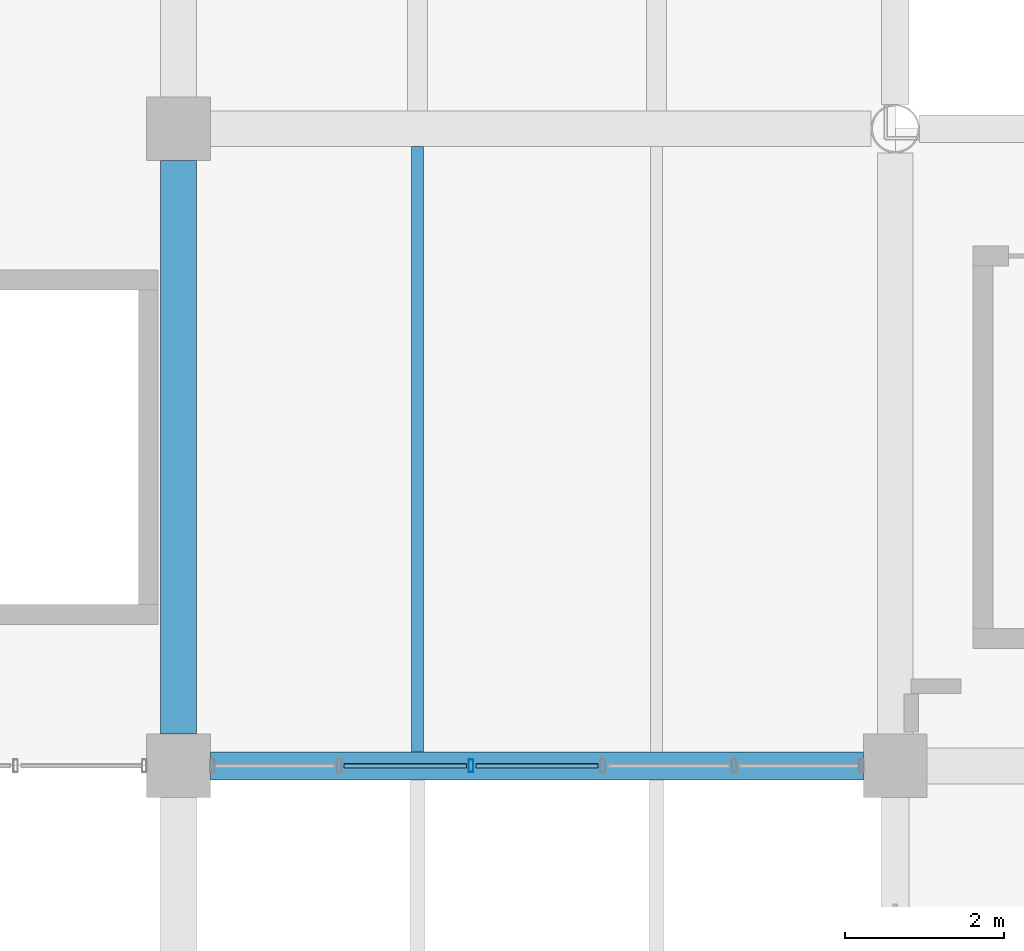
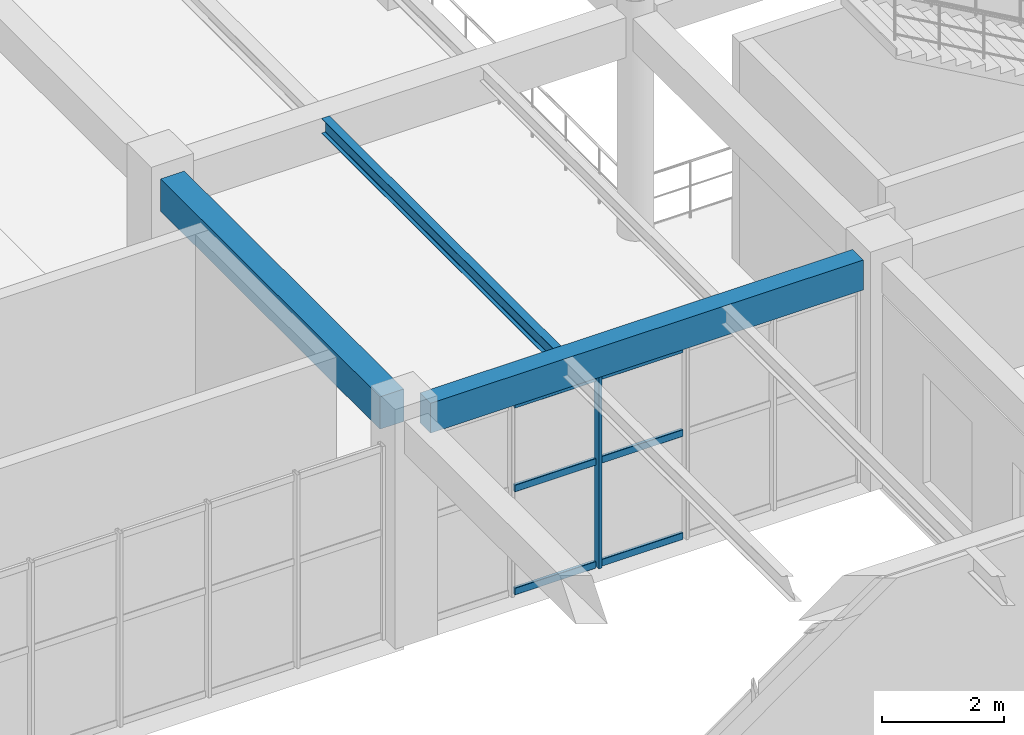
# One storey, part 24 of 178: 7 members, 3 beams, 1 element without a shape of its own.
"""IFC4 building model written with IfcOpenShell, lengths in metres."""

import ifcopenshell
import ifcopenshell.guid

model = None  # the IFC model being written
_history = None  # IfcOwnerHistory: only IFC2X3 demands one
_inside = {}  # id of a spatial element -> (the spatial element, [elements in it])
_under = {}  # id of a project, library or spatial element -> (it, [spatial elements below it])
_declared = {}  # id of a project -> (the project, [libraries it declares])
_typed = {}  # id of a type object -> (the type object, [elements of that type])
_made_of = {}  # id of a material, layer set ... -> (it, [elements and type objects made of it])


def new_model(schema):
    """Start an empty IFC model of exactly this schema.

    Asked for "IFC4X3", IfcOpenShell would pick the latest addendum, in which some entities
    have other attributes; the version numbers below select the first issue.
    IFC2X3 requires an IfcOwnerHistory on every rooted entity: one is made here for all.
    """
    global model, _history
    if schema == "IFC4X3":
        model = ifcopenshell.file(schema_version=(4, 3, 0, 0))
    else:
        model = ifcopenshell.file(schema=schema)
    _inside.clear()
    _under.clear()
    _declared.clear()
    _typed.clear()
    _made_of.clear()
    _history = None
    if model.schema == "IFC2X3":
        org = make("IfcOrganization", Name="unknown")
        user = make(
            "IfcPersonAndOrganization",
            ThePerson=make("IfcPerson", FamilyName="unknown"),
            TheOrganization=org,
        )
        app = make(
            "IfcApplication",
            ApplicationDeveloper=org,
            Version="unknown",
            ApplicationFullName="unknown",
            ApplicationIdentifier="unknown",
        )
        _history = make(
            "IfcOwnerHistory",
            OwningUser=user,
            OwningApplication=app,
            ChangeAction="ADDED",
            CreationDate=0,
        )
    return model


def make(cls, **values):
    """One entity of the class cls with the attributes given. An attribute that is None is left unset."""
    return model.create_entity(
        cls, **{name: value for name, value in values.items() if value is not None}
    )


def rooted(cls, **values):
    """An entity with a GlobalId (a new one), such as an element, a storey or a relation."""
    return make(cls, GlobalId=ifcopenshell.guid.new(), OwnerHistory=_history, **values)


def si_unit(unit_type, name, prefix=None):
    """IfcSIUnit, for example si_unit("LENGTHUNIT", "METRE", prefix="MILLI")."""
    return make("IfcSIUnit", UnitType=unit_type, Prefix=prefix, Name=name)


def derived_unit(unit_type, elements):
    """IfcDerivedUnit: a product of units, each with its exponent."""
    return make(
        "IfcDerivedUnit",
        Elements=[
            make("IfcDerivedUnitElement", Unit=unit, Exponent=power)
            for unit, power in elements
        ],
        UnitType=unit_type,
    )


def assignment(units):
    """IfcUnitAssignment: the units of a project."""
    return None if units is None else make("IfcUnitAssignment", Units=units)


def point(xyz):
    """IfcCartesianPoint."""
    return None if xyz is None else make("IfcCartesianPoint", Coordinates=xyz)


def direction(xyz):
    """IfcDirection."""
    return None if xyz is None else make("IfcDirection", DirectionRatios=xyz)


def frame(location, z_axis=None, x_axis=None):
    """IfcAxis2Placement3D, a coordinate frame: its origin and axes. An axis left out is left unset."""
    return make(
        "IfcAxis2Placement3D",
        Location=point(location),
        Axis=direction(z_axis),
        RefDirection=direction(x_axis),
    )


def frame_2d(location, x_axis=None):
    """IfcAxis2Placement2D, a coordinate frame in the plane: its origin and x axis."""
    return make(
        "IfcAxis2Placement2D", Location=point(location), RefDirection=direction(x_axis)
    )


def origin():
    """The frame at (0, 0, 0) with its axes left unset."""
    return frame((0.0, 0.0, 0.0))


def origin_2d():
    """The frame at (0, 0) in the plane with its x axis left unset."""
    return frame_2d((0.0, 0.0))


def place(relative_to, where):
    """IfcLocalPlacement: puts the frame where relative to a parent placement (None: the world)."""
    return make(
        "IfcLocalPlacement", PlacementRelTo=relative_to, RelativePlacement=where
    )


def context(
    kind, dimensions, precision=None, world=None, true_north=None, identifier=None
):
    """IfcGeometricRepresentationContext, for example the 3D "Model" context."""
    return make(
        "IfcGeometricRepresentationContext",
        ContextIdentifier=identifier,
        ContextType=kind,
        CoordinateSpaceDimension=dimensions,
        Precision=precision,
        WorldCoordinateSystem=world,
        TrueNorth=true_north,
    )


def subcontext(parent, identifier, kind, view, scale=None):
    """IfcGeometricRepresentationSubContext, for example "Body" below "Model"."""
    return make(
        "IfcGeometricRepresentationSubContext",
        ContextIdentifier=identifier,
        ContextType=kind,
        ParentContext=parent,
        TargetScale=scale,
        TargetView=view,
    )


def project(units=None, contexts=None):
    """IfcProject with its units and contexts."""
    return rooted(
        "IfcProject",
        Name="project",
        RepresentationContexts=contexts,
        UnitsInContext=assignment(units),
    )


def spatial(cls, under=None, at=None, **own):
    """A site, building, storey or space (cls), placed at a placement, below another one or the project."""
    s = rooted(cls, ObjectPlacement=at, **own)
    if under is not None:
        _under.setdefault(under.id(), (under, []))[1].append(s)
    return s


def profile(cls, at=None, kind="AREA", **sizes):
    """A parametric profile (cls). Its sizes go by their IFC names, for example OverallWidth=200.0."""
    return make(cls, ProfileType=kind, Position=at, **sizes)


def rectangle(**sizes):
    """IfcRectangleProfileDef."""
    return profile("IfcRectangleProfileDef", **sizes)


def hollow_rectangle(**sizes):
    """IfcRectangleHollowProfileDef."""
    return profile("IfcRectangleHollowProfileDef", **sizes)


def i_section(**sizes):
    """IfcIShapeProfileDef."""
    return profile("IfcIShapeProfileDef", **sizes)


def extrude(swept, where, along, depth):
    """IfcExtrudedAreaSolid: the profile swept, set in the frame where, extruded along a direction by depth."""
    return make(
        "IfcExtrudedAreaSolid",
        SweptArea=swept,
        Position=where,
        ExtrudedDirection=direction(along),
        Depth=depth,
    )


def shape(context_of_items, identifier, shape_type, items):
    """IfcShapeRepresentation: the items that make up one representation, for example the "Body"."""
    return make(
        "IfcShapeRepresentation",
        ContextOfItems=context_of_items,
        RepresentationIdentifier=identifier,
        RepresentationType=shape_type,
        Items=items,
    )


def material(Name=None, Category=None):
    """IfcMaterial."""
    return make("IfcMaterial", Name=Name, Category=Category)


def material_profile(
    of_material, cross_section, Name=None, Category=None, Priority=None
):
    """IfcMaterialProfile: a cross section and its material."""
    return make(
        "IfcMaterialProfile",
        Name=Name,
        Material=of_material,
        Profile=cross_section,
        Priority=Priority,
        Category=Category,
    )


def profile_set(profiles, Name=None, composite=None):
    """IfcMaterialProfileSet."""
    return make(
        "IfcMaterialProfileSet",
        Name=Name,
        MaterialProfiles=profiles,
        CompositeProfile=composite,
    )


def made_of(thing, what):
    """Note that an element or type object is made of a material, layer set ...; save() writes the relation."""
    if what is not None:
        _made_of.setdefault(what.id(), (what, []))[1].append(thing)
    return thing


def type_object(cls, material=None, **own):
    """A type object (cls), such as IfcWallType, which elements share."""
    return made_of(rooted(cls, **own), material)


def element(
    cls,
    number,
    at=None,
    inside=None,
    cuts=None,
    type_object=None,
    material=None,
    context=None,
    identifier="Body",
    shape_type=None,
    held_by="IfcProductDefinitionShape",
    body=None,
    shapes=None,
    **own,
):
    """One element of the class cls, such as IfcWall. Its Tag is "e" and its number.

    at: its placement. inside: the storey or other place that contains it. cuts: it is an
    opening in that element (IfcRelVoidsElement). A single representation is given by context,
    identifier, shape_type and body (its items); several are given by shapes. held_by: the class
    of the entity that holds the representations. save() writes the other relations.
    """
    e = rooted(cls, Tag="e%d" % number, ObjectPlacement=at, **own)
    if body is not None:
        shapes = [shape(context, identifier, shape_type, body)]
    if shapes is not None:
        e.Representation = make(held_by, Representations=shapes)
    if inside is not None:
        _inside.setdefault(inside.id(), (inside, []))[1].append(e)
    if cuts is not None:
        rooted(
            "IfcRelVoidsElement", RelatingBuildingElement=cuts, RelatedOpeningElement=e
        )
    if type_object is not None:
        _typed.setdefault(type_object.id(), (type_object, []))[1].append(e)
    return made_of(e, material)


def aggregate(whole, parts):
    """IfcRelAggregates: a whole, such as a stair, and the parts it consists of."""
    return rooted("IfcRelAggregates", RelatingObject=whole, RelatedObjects=parts)


def save(model, path):
    """Write the relations noted so far, then the file.

    IfcRelAggregates (storeys below a building ...), IfcRelContainedInSpatialStructure (elements
    in a storey), IfcRelDefinesByType, IfcRelAssociatesMaterial and IfcRelDeclares: one each for
    every whole, place, type object, material and project.
    """
    for whole, parts in _under.values():
        aggregate(whole, parts)
    for where, things in _inside.values():
        rooted(
            "IfcRelContainedInSpatialStructure",
            RelatedElements=things,
            RelatingStructure=where,
        )
    for kind, things in _typed.values():
        rooted("IfcRelDefinesByType", RelatedObjects=things, RelatingType=kind)
    for what, things in _made_of.values():
        rooted("IfcRelAssociatesMaterial", RelatedObjects=things, RelatingMaterial=what)
    for by, libraries in _declared.values():
        rooted("IfcRelDeclares", RelatingContext=by, RelatedDefinitions=libraries)
    model.write(path)


model = new_model("IFC4")

# Units and contexts
model_context = context("Model", 3, precision=1e-05, world=origin(), true_north=direction((0.0, 1.0)))
body_context = subcontext(model_context, "Body", "Model", "MODEL_VIEW")
ifc_project = project(units=[si_unit("LENGTHUNIT", "METRE"), si_unit("AREAUNIT", "SQUARE_METRE"), si_unit("VOLUMEUNIT", "CUBIC_METRE"), si_unit("PLANEANGLEUNIT", "RADIAN"), si_unit("MASSUNIT", "GRAM", prefix="KILO"), derived_unit("THERMALTRANSMITTANCEUNIT", [(si_unit("MASSUNIT", "GRAM", prefix="KILO"), 1), (si_unit("TIMEUNIT", "SECOND"), -3), (si_unit("THERMODYNAMICTEMPERATUREUNIT", "KELVIN"), -1)])], contexts=[model_context])

# Site, building, storey
site_placement = place(None, origin())
site = spatial("IfcSite", under=ifc_project, at=site_placement, CompositionType="ELEMENT")
building_placement = place(site_placement, origin())
building = spatial("IfcBuilding", under=site, at=building_placement, Name="Zhenchuan Archway Interchange", CompositionType="ELEMENT")
storey_placement = place(building_placement, frame((0.0, 0.0, 5.39990234375)))
storey = spatial("IfcBuildingStorey", under=building, at=storey_placement, Name="L01", CompositionType="ELEMENT", Elevation=5.39990234375)

# Beam
ifc_material_1 = material(Name="Concrete C40", Category="concrete")
ifc_material_profile_1 = material_profile(ifc_material_1, rectangle(XDim=0.449951171875, YDim=0.64990234375, at=origin_2d()), Name="RC 450x650")
ifc_profile_set_1 = profile_set([ifc_material_profile_1], Name="Concrete C40")
beam_type_1 = type_object("IfcBeamType", Name="BM_RC_450x650", PredefinedType="BEAM", material=ifc_profile_set_1)
beam_1_placement = place(storey_placement, frame((27.0, 24.39990234375, 4.18505859375), z_axis=(0.0, 1.0, 0.0), x_axis=(-1.0, 0.0, 0.0)))
element("IfcBeam", 1, at=beam_1_placement, inside=storey, type_object=beam_type_1, Name="Beam 4:D-E (L01)", PredefinedType="BEAM", context=body_context, shape_type="SweptSolid", body=[
    extrude(rectangle(XDim=0.449951171875, YDim=0.64990234375, at=origin_2d()), origin(), (0.0, 0.0, 1.0), 7.2001953125),
])

# Curtain wall, members
ifc_material_2 = material(Name="Anodised Aluminium", Category="aluminium")
curtain_wall_type = type_object("IfcCurtainWallType", Name="CW_UNIT_4", PredefinedType="NOTDEFINED", material=ifc_material_2)
curtain_wall_placement = place(storey_placement, origin())
curtain_wall = element("IfcCurtainWall", 2, at=curtain_wall_placement, inside=storey, type_object=curtain_wall_type, Name="Unitised curtain wall CW:L01:027", PredefinedType="NOTDEFINED")
ifc_material_profile_2 = material_profile(ifc_material_2, hollow_rectangle(XDim=0.06005859375, YDim=0.159912109375, WallThickness=0.00390625, InnerFilletRadius=0.00390625, OuterFilletRadius=0.008056640625, at=origin_2d()), Name="ALU 160x60x4")
ifc_profile_set_2 = profile_set([ifc_material_profile_2], Name="Anodised Aluminium")
member_type_1 = type_object("IfcMemberType", Name="CW_MUL_150", PredefinedType="MULLION", material=ifc_profile_set_2)
member_1_placement = place(storey_placement, frame((30.673583984375, 24.0, 0.0), z_axis=(0.0, 0.0, 1.0), x_axis=(1.0, 0.0, 0.0)))
member_1 = element("IfcMember", 3, at=member_1_placement, type_object=member_type_1, Name="CW:L01:027 mullion 3", PredefinedType="MULLION", context=body_context, shape_type="SweptSolid", body=[
    extrude(hollow_rectangle(XDim=0.06005859375, YDim=0.159912109375, WallThickness=0.00390625, InnerFilletRadius=0.00390625, OuterFilletRadius=0.008056640625, at=origin_2d()), origin(), (0.0, 0.0, 1.0), 3.880126953125),
])
ifc_material_profile_3 = material_profile(ifc_material_2, hollow_rectangle(XDim=0.06005859375, YDim=0.139892578125, WallThickness=0.00341796875, InnerFilletRadius=0.00341796875, OuterFilletRadius=0.007080078125, at=origin_2d()), Name="ALU 140x60x3.5")
ifc_profile_set_3 = profile_set([ifc_material_profile_3], Name="Anodised Aluminium")
member_type_2 = type_object("IfcMemberType", Name="CW_TRN_140", PredefinedType="USERDEFINED", material=ifc_profile_set_3)
member_2_placement = place(storey_placement, frame((32.266357421875, 24.0, 0.06005859375), z_axis=(-1.0, 0.0, 0.0), x_axis=(0.0, -1.0, 0.0)))
member_2 = element("IfcMember", 4, at=member_2_placement, type_object=member_type_2, Name="CW:L01:027 transom 2-1", ObjectType="TRANSOM", PredefinedType="USERDEFINED", context=body_context, shape_type="SweptSolid", body=[
    extrude(hollow_rectangle(XDim=0.06005859375, YDim=0.139892578125, WallThickness=0.00341796875, InnerFilletRadius=0.00341796875, OuterFilletRadius=0.007080078125, at=origin_2d()), origin(), (0.0, 0.0, 1.0), 1.53271484375),
])
member_3_placement = place(storey_placement, frame((32.266357421875, 24.0, 2.123046875), z_axis=(-1.0, 0.0, 0.0), x_axis=(0.0, -1.0, 0.0)))
member_3 = element("IfcMember", 5, at=member_3_placement, type_object=member_type_2, Name="CW:L01:027 transom 2-2", ObjectType="TRANSOM", PredefinedType="USERDEFINED", context=body_context, shape_type="SweptSolid", body=[
    extrude(hollow_rectangle(XDim=0.06005859375, YDim=0.139892578125, WallThickness=0.00341796875, InnerFilletRadius=0.00341796875, OuterFilletRadius=0.007080078125, at=origin_2d()), origin(), (0.0, 0.0, 1.0), 1.53271484375),
])
member_4_placement = place(storey_placement, frame((32.266357421875, 24.0, 3.800048828125), z_axis=(-1.0, 0.0, 0.0), x_axis=(0.0, -1.0, 0.0)))
member_4 = element("IfcMember", 6, at=member_4_placement, type_object=member_type_2, Name="CW:L01:027 transom 2-3", ObjectType="TRANSOM", PredefinedType="USERDEFINED", context=body_context, shape_type="SweptSolid", body=[
    extrude(hollow_rectangle(XDim=0.06005859375, YDim=0.139892578125, WallThickness=0.00341796875, InnerFilletRadius=0.00341796875, OuterFilletRadius=0.007080078125, at=origin_2d()), origin(), (0.0, 0.0, 1.0), 1.53271484375),
])
member_5_placement = place(storey_placement, frame((30.613525390625, 24.0, 0.06005859375), z_axis=(-1.0, 0.0, 0.0), x_axis=(0.0, -1.0, 0.0)))
member_5 = element("IfcMember", 7, at=member_5_placement, type_object=member_type_2, Name="CW:L01:027 transom 3-1", ObjectType="TRANSOM", PredefinedType="USERDEFINED", context=body_context, shape_type="SweptSolid", body=[
    extrude(hollow_rectangle(XDim=0.06005859375, YDim=0.139892578125, WallThickness=0.00341796875, InnerFilletRadius=0.00341796875, OuterFilletRadius=0.007080078125, at=origin_2d()), origin(), (0.0, 0.0, 1.0), 1.53271484375),
])
member_6_placement = place(storey_placement, frame((30.613525390625, 24.0, 2.123046875), z_axis=(-1.0, 0.0, 0.0), x_axis=(0.0, -1.0, 0.0)))
member_6 = element("IfcMember", 8, at=member_6_placement, type_object=member_type_2, Name="CW:L01:027 transom 3-2", ObjectType="TRANSOM", PredefinedType="USERDEFINED", context=body_context, shape_type="SweptSolid", body=[
    extrude(hollow_rectangle(XDim=0.06005859375, YDim=0.139892578125, WallThickness=0.00341796875, InnerFilletRadius=0.00341796875, OuterFilletRadius=0.007080078125, at=origin_2d()), origin(), (0.0, 0.0, 1.0), 1.53271484375),
])
member_7_placement = place(storey_placement, frame((30.613525390625, 24.0, 3.800048828125), z_axis=(-1.0, 0.0, 0.0), x_axis=(0.0, -1.0, 0.0)))
member_7 = element("IfcMember", 9, at=member_7_placement, type_object=member_type_2, Name="CW:L01:027 transom 3-3", ObjectType="TRANSOM", PredefinedType="USERDEFINED", context=body_context, shape_type="SweptSolid", body=[
    extrude(hollow_rectangle(XDim=0.06005859375, YDim=0.139892578125, WallThickness=0.00341796875, InnerFilletRadius=0.00341796875, OuterFilletRadius=0.007080078125, at=origin_2d()), origin(), (0.0, 0.0, 1.0), 1.53271484375),
])
aggregate(curtain_wall, [member_1, member_2, member_3, member_4, member_5, member_6, member_7])

# Beams
ifc_material_3 = material(Name="Steel Q355", Category="steel")
ifc_material_profile_4 = material_profile(ifc_material_3, i_section(OverallWidth=0.14990234375, OverallDepth=0.300048828125, WebThickness=0.006591796875, FlangeThickness=0.009033203125, FilletRadius=0.012939453125, at=origin_2d()), Name="HN 300x150")
ifc_profile_set_4 = profile_set([ifc_material_profile_4], Name="Steel Q355")
beam_type_2 = type_object("IfcBeamType", Name="JST_STL_HN300", PredefinedType="JOIST", material=ifc_profile_set_4)
beam_2_placement = place(storey_placement, frame((30.0, 24.175048828125, 4.360107421875), z_axis=(0.0, 1.0, 0.0), x_axis=(-1.0, 0.0, 0.0)))
element("IfcBeam", 10, at=beam_2_placement, inside=storey, type_object=beam_type_2, Name="Secondary joist 4-5/D-E #1 (L01)", PredefinedType="JOIST", context=body_context, shape_type="SweptSolid", body=[
    extrude(i_section(OverallWidth=0.14990234375, OverallDepth=0.300048828125, WebThickness=0.006591796875, FlangeThickness=0.009033203125, FilletRadius=0.012939453125, at=origin_2d()), origin(), (0.0, 0.0, 1.0), 7.599853515625),
])
ifc_material_profile_5 = material_profile(ifc_material_1, rectangle(XDim=0.35009765625, YDim=0.60009765625, at=origin_2d()), Name="RC 350x600")
ifc_profile_set_5 = profile_set([ifc_material_profile_5], Name="Concrete C40")
beam_type_3 = type_object("IfcBeamType", Name="SP_RC_350x600", PredefinedType="SPANDREL", material=ifc_profile_set_5)
beam_3_placement = place(storey_placement, frame((27.39990234375, 24.0, 4.210205078125), z_axis=(1.0, 0.0, 0.0), x_axis=(0.0, 1.0, 0.0)))
element("IfcBeam", 11, at=beam_3_placement, inside=storey, type_object=beam_type_3, Name="Beam D:4-5 (L01)", PredefinedType="SPANDREL", context=body_context, shape_type="SweptSolid", body=[
    extrude(rectangle(XDim=0.35009765625, YDim=0.60009765625, at=origin_2d()), origin(), (0.0, 0.0, 1.0), 8.2001953125),
])

save(model, "model.ifc")
